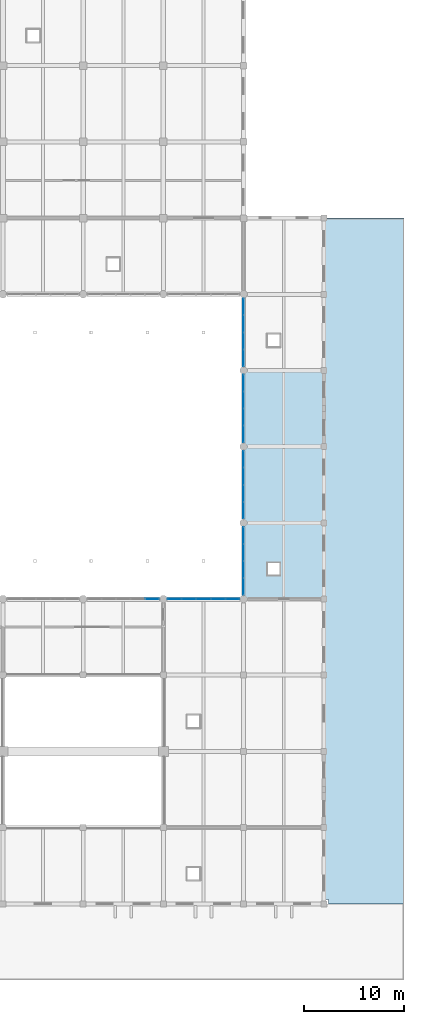
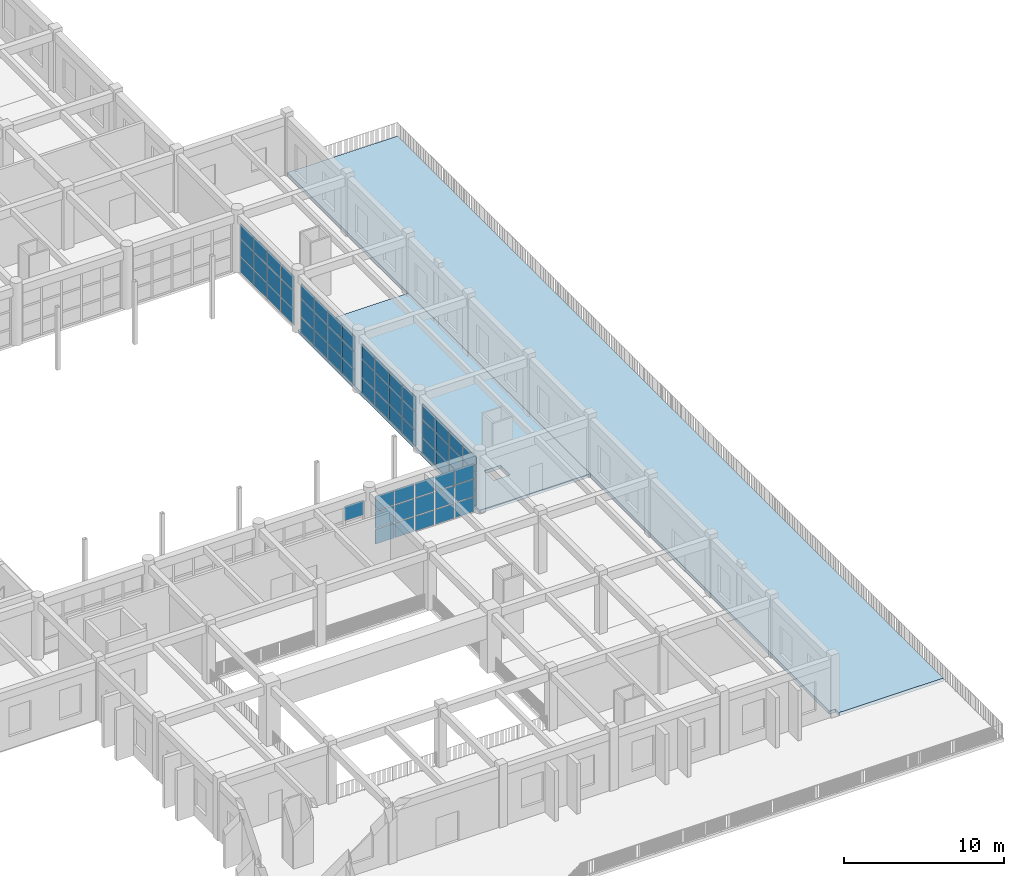
# One storey, part 69 of 101: 64 plates, 2 slabs, 6 elements without a shape of their own.
"""IFC4 building model written with IfcOpenShell, lengths in metres."""

import ifcopenshell
import ifcopenshell.guid

model = None  # the IFC model being written
_history = None  # IfcOwnerHistory: only IFC2X3 demands one
_inside = {}  # id of a spatial element -> (the spatial element, [elements in it])
_under = {}  # id of a project, library or spatial element -> (it, [spatial elements below it])
_declared = {}  # id of a project -> (the project, [libraries it declares])
_typed = {}  # id of a type object -> (the type object, [elements of that type])
_made_of = {}  # id of a material, layer set ... -> (it, [elements and type objects made of it])


def new_model(schema):
    """Start an empty IFC model of exactly this schema.

    Asked for "IFC4X3", IfcOpenShell would pick the latest addendum, in which some entities
    have other attributes; the version numbers below select the first issue.
    IFC2X3 requires an IfcOwnerHistory on every rooted entity: one is made here for all.
    """
    global model, _history
    if schema == "IFC4X3":
        model = ifcopenshell.file(schema_version=(4, 3, 0, 0))
    else:
        model = ifcopenshell.file(schema=schema)
    _inside.clear()
    _under.clear()
    _declared.clear()
    _typed.clear()
    _made_of.clear()
    _history = None
    if model.schema == "IFC2X3":
        org = make("IfcOrganization", Name="unknown")
        user = make(
            "IfcPersonAndOrganization",
            ThePerson=make("IfcPerson", FamilyName="unknown"),
            TheOrganization=org,
        )
        app = make(
            "IfcApplication",
            ApplicationDeveloper=org,
            Version="unknown",
            ApplicationFullName="unknown",
            ApplicationIdentifier="unknown",
        )
        _history = make(
            "IfcOwnerHistory",
            OwningUser=user,
            OwningApplication=app,
            ChangeAction="ADDED",
            CreationDate=0,
        )
    return model


def make(cls, **values):
    """One entity of the class cls with the attributes given. An attribute that is None is left unset."""
    return model.create_entity(
        cls, **{name: value for name, value in values.items() if value is not None}
    )


def rooted(cls, **values):
    """An entity with a GlobalId (a new one), such as an element, a storey or a relation."""
    return make(cls, GlobalId=ifcopenshell.guid.new(), OwnerHistory=_history, **values)


def si_unit(unit_type, name, prefix=None):
    """IfcSIUnit, for example si_unit("LENGTHUNIT", "METRE", prefix="MILLI")."""
    return make("IfcSIUnit", UnitType=unit_type, Prefix=prefix, Name=name)


def assignment(units):
    """IfcUnitAssignment: the units of a project."""
    return None if units is None else make("IfcUnitAssignment", Units=units)


def point(xyz):
    """IfcCartesianPoint."""
    return None if xyz is None else make("IfcCartesianPoint", Coordinates=xyz)


def direction(xyz):
    """IfcDirection."""
    return None if xyz is None else make("IfcDirection", DirectionRatios=xyz)


def frame(location, z_axis=None, x_axis=None):
    """IfcAxis2Placement3D, a coordinate frame: its origin and axes. An axis left out is left unset."""
    return make(
        "IfcAxis2Placement3D",
        Location=point(location),
        Axis=direction(z_axis),
        RefDirection=direction(x_axis),
    )


def frame_2d(location, x_axis=None):
    """IfcAxis2Placement2D, a coordinate frame in the plane: its origin and x axis."""
    return make(
        "IfcAxis2Placement2D", Location=point(location), RefDirection=direction(x_axis)
    )


def origin():
    """The frame at (0, 0, 0) with its axes left unset."""
    return frame((0.0, 0.0, 0.0))


def origin_2d():
    """The frame at (0, 0) in the plane with its x axis left unset."""
    return frame_2d((0.0, 0.0))


def place(relative_to, where):
    """IfcLocalPlacement: puts the frame where relative to a parent placement (None: the world)."""
    return make(
        "IfcLocalPlacement", PlacementRelTo=relative_to, RelativePlacement=where
    )


def context(
    kind, dimensions, precision=None, world=None, true_north=None, identifier=None
):
    """IfcGeometricRepresentationContext, for example the 3D "Model" context."""
    return make(
        "IfcGeometricRepresentationContext",
        ContextIdentifier=identifier,
        ContextType=kind,
        CoordinateSpaceDimension=dimensions,
        Precision=precision,
        WorldCoordinateSystem=world,
        TrueNorth=true_north,
    )


def subcontext(parent, identifier, kind, view, scale=None):
    """IfcGeometricRepresentationSubContext, for example "Body" below "Model"."""
    return make(
        "IfcGeometricRepresentationSubContext",
        ContextIdentifier=identifier,
        ContextType=kind,
        ParentContext=parent,
        TargetScale=scale,
        TargetView=view,
    )


def project(units=None, contexts=None):
    """IfcProject with its units and contexts."""
    return rooted(
        "IfcProject",
        Name="project",
        RepresentationContexts=contexts,
        UnitsInContext=assignment(units),
    )


def spatial(cls, under=None, at=None, **own):
    """A site, building, storey or space (cls), placed at a placement, below another one or the project."""
    s = rooted(cls, ObjectPlacement=at, **own)
    if under is not None:
        _under.setdefault(under.id(), (under, []))[1].append(s)
    return s


def polyline(points):
    """IfcPolyline through the points."""
    return make("IfcPolyline", Points=[point(p) for p in points])


def profile(cls, at=None, kind="AREA", **sizes):
    """A parametric profile (cls). Its sizes go by their IFC names, for example OverallWidth=200.0."""
    return make(cls, ProfileType=kind, Position=at, **sizes)


def rectangle(**sizes):
    """IfcRectangleProfileDef."""
    return profile("IfcRectangleProfileDef", **sizes)


def outline(outer, holes=None, kind="AREA"):
    """IfcArbitraryClosedProfileDef: a profile drawn as a closed curve; with holes, ...WithVoids."""
    if holes is None:
        return make("IfcArbitraryClosedProfileDef", ProfileType=kind, OuterCurve=outer)
    return make(
        "IfcArbitraryProfileDefWithVoids",
        ProfileType=kind,
        OuterCurve=outer,
        InnerCurves=holes,
    )


def extrude(swept, where, along, depth):
    """IfcExtrudedAreaSolid: the profile swept, set in the frame where, extruded along a direction by depth."""
    return make(
        "IfcExtrudedAreaSolid",
        SweptArea=swept,
        Position=where,
        ExtrudedDirection=direction(along),
        Depth=depth,
    )


def shape(context_of_items, identifier, shape_type, items):
    """IfcShapeRepresentation: the items that make up one representation, for example the "Body"."""
    return make(
        "IfcShapeRepresentation",
        ContextOfItems=context_of_items,
        RepresentationIdentifier=identifier,
        RepresentationType=shape_type,
        Items=items,
    )


def material(Name=None, Category=None):
    """IfcMaterial."""
    return make("IfcMaterial", Name=Name, Category=Category)


def layer(
    of_material, thickness, ventilated=None, Name=None, Category=None, Priority=None
):
    """IfcMaterialLayer: one layer of a wall or slab, of a material (None: an air gap)."""
    return make(
        "IfcMaterialLayer",
        Material=of_material,
        LayerThickness=thickness,
        IsVentilated=ventilated,
        Name=Name,
        Category=Category,
        Priority=Priority,
    )


def layer_set(layers, Name=None):
    """IfcMaterialLayerSet."""
    return make("IfcMaterialLayerSet", MaterialLayers=layers, LayerSetName=Name)


def made_of(thing, what):
    """Note that an element or type object is made of a material, layer set ...; save() writes the relation."""
    if what is not None:
        _made_of.setdefault(what.id(), (what, []))[1].append(thing)
    return thing


def type_object(cls, material=None, **own):
    """A type object (cls), such as IfcWallType, which elements share."""
    return made_of(rooted(cls, **own), material)


def element(
    cls,
    number,
    at=None,
    inside=None,
    cuts=None,
    type_object=None,
    material=None,
    context=None,
    identifier="Body",
    shape_type=None,
    held_by="IfcProductDefinitionShape",
    body=None,
    shapes=None,
    **own,
):
    """One element of the class cls, such as IfcWall. Its Tag is "e" and its number.

    at: its placement. inside: the storey or other place that contains it. cuts: it is an
    opening in that element (IfcRelVoidsElement). A single representation is given by context,
    identifier, shape_type and body (its items); several are given by shapes. held_by: the class
    of the entity that holds the representations. save() writes the other relations.
    """
    e = rooted(cls, Tag="e%d" % number, ObjectPlacement=at, **own)
    if body is not None:
        shapes = [shape(context, identifier, shape_type, body)]
    if shapes is not None:
        e.Representation = make(held_by, Representations=shapes)
    if inside is not None:
        _inside.setdefault(inside.id(), (inside, []))[1].append(e)
    if cuts is not None:
        rooted(
            "IfcRelVoidsElement", RelatingBuildingElement=cuts, RelatedOpeningElement=e
        )
    if type_object is not None:
        _typed.setdefault(type_object.id(), (type_object, []))[1].append(e)
    return made_of(e, material)


def aggregate(whole, parts):
    """IfcRelAggregates: a whole, such as a stair, and the parts it consists of."""
    return rooted("IfcRelAggregates", RelatingObject=whole, RelatedObjects=parts)


def save(model, path):
    """Write the relations noted so far, then the file.

    IfcRelAggregates (storeys below a building ...), IfcRelContainedInSpatialStructure (elements
    in a storey), IfcRelDefinesByType, IfcRelAssociatesMaterial and IfcRelDeclares: one each for
    every whole, place, type object, material and project.
    """
    for whole, parts in _under.values():
        aggregate(whole, parts)
    for where, things in _inside.values():
        rooted(
            "IfcRelContainedInSpatialStructure",
            RelatedElements=things,
            RelatingStructure=where,
        )
    for kind, things in _typed.values():
        rooted("IfcRelDefinesByType", RelatedObjects=things, RelatingType=kind)
    for what, things in _made_of.values():
        rooted("IfcRelAssociatesMaterial", RelatedObjects=things, RelatingMaterial=what)
    for by, libraries in _declared.values():
        rooted("IfcRelDeclares", RelatingContext=by, RelatedDefinitions=libraries)
    model.write(path)


model = new_model("IFC4")

# Units and contexts
model_context = context("Model", 3, precision=1e-05, world=origin(), true_north=direction((0.0, 1.0)))
body_context = subcontext(model_context, "Body", "Model", "MODEL_VIEW")
ifc_project = project(units=[si_unit("LENGTHUNIT", "METRE"), si_unit("AREAUNIT", "SQUARE_METRE"), si_unit("VOLUMEUNIT", "CUBIC_METRE"), si_unit("PLANEANGLEUNIT", "RADIAN"), si_unit("MASSUNIT", "GRAM", prefix="KILO")], contexts=[model_context])

# Site, building, storey
site_placement = place(None, origin())
site = spatial("IfcSite", under=ifc_project, at=site_placement, CompositionType="ELEMENT")
building_placement = place(site_placement, origin())
building = spatial("IfcBuilding", under=site, at=building_placement, Name="Zantavel Square City Hall", CompositionType="ELEMENT")
storey_placement = place(building_placement, frame((0.0, 0.0, 5.39990234375)))
storey = spatial("IfcBuildingStorey", under=building, at=storey_placement, Name="L02", CompositionType="ELEMENT", Elevation=5.39990234375)

# Curtain wall, plate
ifc_material_1 = material(Name="Anodised aluminium 6063-T6", Category="aluminium")
curtain_wall_type_1 = type_object("IfcCurtainWallType", Name="Curtain Wall CRT 7250x3800", PredefinedType="USERDEFINED", material=ifc_material_1)
curtain_wall_1_placement = place(storey_placement, origin())
curtain_wall_1 = element("IfcCurtainWall", 1, at=curtain_wall_1_placement, inside=storey, type_object=curtain_wall_type_1, Name="L02 Glazed Curtain Wall CW-L02-053", ObjectType="GLAZED CURTAIN WALL", PredefinedType="USERDEFINED")
ifc_material_2 = material(Name="Tempered safety glass low-E double glazing", Category="glass")
ifc_layer_1 = layer(ifc_material_2, 0.028076171875, Name="Tempered safety glass low-E double glazing")
ifc_layer_set_1 = layer_set([ifc_layer_1], Name="Tempered safety glass low-E double glazing")
plate_type_1 = type_object("IfcPlateType", Name="Low-E Curtain Glazing Panel 1450x1267x28", PredefinedType="CURTAIN_PANEL", material=ifc_layer_set_1)
plate_1_placement = place(storey_placement, frame((142.885009765625, 38.0, 2.614013671875), z_axis=(0.0, 0.0, 1.0), x_axis=(1.0, 0.0, 0.0)))
plate_1 = element("IfcPlate", 2, at=plate_1_placement, type_object=plate_type_1, Name="CW-053 panel 5.3", PredefinedType="CURTAIN_PANEL", context=body_context, shape_type="SweptSolid", body=[
    extrude(rectangle(XDim=1.360107421875, YDim=0.028076171875, at=origin_2d()), origin(), (0.0, 0.0, 1.0), 1.1259765625),
])
aggregate(curtain_wall_1, [plate_1])

# Curtain wall, plates
curtain_wall_2_placement = place(storey_placement, origin())
curtain_wall_2 = element("IfcCurtainWall", 3, at=curtain_wall_2_placement, inside=storey, type_object=curtain_wall_type_1, Name="L02 Glazed Curtain Wall CW-L02-054", ObjectType="GLAZED CURTAIN WALL", PredefinedType="USERDEFINED")
plate_2_placement = place(storey_placement, frame((145.114990234375, 38.0, 0.06005859375), z_axis=(0.0, 0.0, 1.0), x_axis=(1.0, 0.0, 0.0)))
plate_2 = element("IfcPlate", 4, at=plate_2_placement, type_object=plate_type_1, Name="CW-054 panel 1.1", PredefinedType="CURTAIN_PANEL", context=body_context, shape_type="SweptSolid", body=[
    extrude(rectangle(XDim=1.360107421875, YDim=0.028076171875, at=origin_2d()), origin(), (0.0, 0.0, 1.0), 1.1259765625),
])
plate_3_placement = place(storey_placement, frame((145.114990234375, 38.0, 1.24609375), z_axis=(0.0, 0.0, 1.0), x_axis=(1.0, 0.0, 0.0)))
plate_3 = element("IfcPlate", 5, at=plate_3_placement, type_object=plate_type_1, Name="CW-054 panel 1.2", PredefinedType="CURTAIN_PANEL", context=body_context, shape_type="SweptSolid", body=[
    extrude(rectangle(XDim=1.360107421875, YDim=0.028076171875, at=origin_2d()), origin(), (0.0, 0.0, 1.0), 1.30810546875),
])
plate_4_placement = place(storey_placement, frame((145.114990234375, 38.0, 2.614013671875), z_axis=(0.0, 0.0, 1.0), x_axis=(1.0, 0.0, 0.0)))
plate_4 = element("IfcPlate", 6, at=plate_4_placement, type_object=plate_type_1, Name="CW-054 panel 1.3", PredefinedType="CURTAIN_PANEL", context=body_context, shape_type="SweptSolid", body=[
    extrude(rectangle(XDim=1.360107421875, YDim=0.028076171875, at=origin_2d()), origin(), (0.0, 0.0, 1.0), 1.1259765625),
])
plate_5_placement = place(storey_placement, frame((146.550048828125, 38.0, 0.06005859375), z_axis=(0.0, 0.0, 1.0), x_axis=(1.0, 0.0, 0.0)))
plate_5 = element("IfcPlate", 7, at=plate_5_placement, type_object=plate_type_1, Name="CW-054 panel 2.1", PredefinedType="CURTAIN_PANEL", context=body_context, shape_type="SweptSolid", body=[
    extrude(rectangle(XDim=1.389892578125, YDim=0.028076171875, at=origin_2d()), origin(), (0.0, 0.0, 1.0), 1.1259765625),
])
plate_6_placement = place(storey_placement, frame((146.550048828125, 38.0, 1.24609375), z_axis=(0.0, 0.0, 1.0), x_axis=(1.0, 0.0, 0.0)))
plate_6 = element("IfcPlate", 8, at=plate_6_placement, type_object=plate_type_1, Name="CW-054 panel 2.2", PredefinedType="CURTAIN_PANEL", context=body_context, shape_type="SweptSolid", body=[
    extrude(rectangle(XDim=1.389892578125, YDim=0.028076171875, at=origin_2d()), origin(), (0.0, 0.0, 1.0), 1.30810546875),
])
plate_7_placement = place(storey_placement, frame((146.550048828125, 38.0, 2.614013671875), z_axis=(0.0, 0.0, 1.0), x_axis=(1.0, 0.0, 0.0)))
plate_7 = element("IfcPlate", 9, at=plate_7_placement, type_object=plate_type_1, Name="CW-054 panel 2.3", PredefinedType="CURTAIN_PANEL", context=body_context, shape_type="SweptSolid", body=[
    extrude(rectangle(XDim=1.389892578125, YDim=0.028076171875, at=origin_2d()), origin(), (0.0, 0.0, 1.0), 1.1259765625),
])
plate_8_placement = place(storey_placement, frame((148.0, 38.0, 0.06005859375), z_axis=(0.0, 0.0, 1.0), x_axis=(1.0, 0.0, 0.0)))
plate_8 = element("IfcPlate", 10, at=plate_8_placement, type_object=plate_type_1, Name="CW-054 panel 3.1", PredefinedType="CURTAIN_PANEL", context=body_context, shape_type="SweptSolid", body=[
    extrude(rectangle(XDim=1.389892578125, YDim=0.028076171875, at=origin_2d()), origin(), (0.0, 0.0, 1.0), 1.1259765625),
])
plate_9_placement = place(storey_placement, frame((148.0, 38.0, 1.24609375), z_axis=(0.0, 0.0, 1.0), x_axis=(1.0, 0.0, 0.0)))
plate_9 = element("IfcPlate", 11, at=plate_9_placement, type_object=plate_type_1, Name="CW-054 panel 3.2", PredefinedType="CURTAIN_PANEL", context=body_context, shape_type="SweptSolid", body=[
    extrude(rectangle(XDim=1.389892578125, YDim=0.028076171875, at=origin_2d()), origin(), (0.0, 0.0, 1.0), 1.30810546875),
])
plate_10_placement = place(storey_placement, frame((148.0, 38.0, 2.614013671875), z_axis=(0.0, 0.0, 1.0), x_axis=(1.0, 0.0, 0.0)))
plate_10 = element("IfcPlate", 12, at=plate_10_placement, type_object=plate_type_1, Name="CW-054 panel 3.3", PredefinedType="CURTAIN_PANEL", context=body_context, shape_type="SweptSolid", body=[
    extrude(rectangle(XDim=1.389892578125, YDim=0.028076171875, at=origin_2d()), origin(), (0.0, 0.0, 1.0), 1.1259765625),
])
plate_11_placement = place(storey_placement, frame((149.449951171875, 38.0, 0.06005859375), z_axis=(0.0, 0.0, 1.0), x_axis=(1.0, 0.0, 0.0)))
plate_11 = element("IfcPlate", 13, at=plate_11_placement, type_object=plate_type_1, Name="CW-054 panel 4.1", PredefinedType="CURTAIN_PANEL", context=body_context, shape_type="SweptSolid", body=[
    extrude(rectangle(XDim=1.389892578125, YDim=0.028076171875, at=origin_2d()), origin(), (0.0, 0.0, 1.0), 1.1259765625),
])
plate_12_placement = place(storey_placement, frame((149.449951171875, 38.0, 1.24609375), z_axis=(0.0, 0.0, 1.0), x_axis=(1.0, 0.0, 0.0)))
plate_12 = element("IfcPlate", 14, at=plate_12_placement, type_object=plate_type_1, Name="CW-054 panel 4.2", PredefinedType="CURTAIN_PANEL", context=body_context, shape_type="SweptSolid", body=[
    extrude(rectangle(XDim=1.389892578125, YDim=0.028076171875, at=origin_2d()), origin(), (0.0, 0.0, 1.0), 1.30810546875),
])
plate_13_placement = place(storey_placement, frame((149.449951171875, 38.0, 2.614013671875), z_axis=(0.0, 0.0, 1.0), x_axis=(1.0, 0.0, 0.0)))
plate_13 = element("IfcPlate", 15, at=plate_13_placement, type_object=plate_type_1, Name="CW-054 panel 4.3", PredefinedType="CURTAIN_PANEL", context=body_context, shape_type="SweptSolid", body=[
    extrude(rectangle(XDim=1.389892578125, YDim=0.028076171875, at=origin_2d()), origin(), (0.0, 0.0, 1.0), 1.1259765625),
])
plate_14_placement = place(storey_placement, frame((150.885009765625, 38.0, 0.06005859375), z_axis=(0.0, 0.0, 1.0), x_axis=(1.0, 0.0, 0.0)))
plate_14 = element("IfcPlate", 16, at=plate_14_placement, type_object=plate_type_1, Name="CW-054 panel 5.1", PredefinedType="CURTAIN_PANEL", context=body_context, shape_type="SweptSolid", body=[
    extrude(rectangle(XDim=1.360107421875, YDim=0.028076171875, at=origin_2d()), origin(), (0.0, 0.0, 1.0), 1.1259765625),
])
plate_15_placement = place(storey_placement, frame((150.885009765625, 38.0, 1.24609375), z_axis=(0.0, 0.0, 1.0), x_axis=(1.0, 0.0, 0.0)))
plate_15 = element("IfcPlate", 17, at=plate_15_placement, type_object=plate_type_1, Name="CW-054 panel 5.2", PredefinedType="CURTAIN_PANEL", context=body_context, shape_type="SweptSolid", body=[
    extrude(rectangle(XDim=1.360107421875, YDim=0.028076171875, at=origin_2d()), origin(), (0.0, 0.0, 1.0), 1.30810546875),
])
plate_16_placement = place(storey_placement, frame((150.885009765625, 38.0, 2.614013671875), z_axis=(0.0, 0.0, 1.0), x_axis=(1.0, 0.0, 0.0)))
plate_16 = element("IfcPlate", 18, at=plate_16_placement, type_object=plate_type_1, Name="CW-054 panel 5.3", PredefinedType="CURTAIN_PANEL", context=body_context, shape_type="SweptSolid", body=[
    extrude(rectangle(XDim=1.360107421875, YDim=0.028076171875, at=origin_2d()), origin(), (0.0, 0.0, 1.0), 1.1259765625),
])
aggregate(curtain_wall_2, [plate_2, plate_3, plate_4, plate_5, plate_6, plate_7, plate_8, plate_9, plate_10, plate_11, plate_12, plate_13, plate_14, plate_15, plate_16])

curtain_wall_type_2 = type_object("IfcCurtainWallType", Name="Curtain Wall CRT 6850x3870", PredefinedType="USERDEFINED", material=ifc_material_1)
curtain_wall_3_placement = place(storey_placement, origin())
curtain_wall_3 = element("IfcCurtainWall", 19, at=curtain_wall_3_placement, inside=storey, type_object=curtain_wall_type_2, Name="L02 Glazed Curtain Wall CW-L02-057", ObjectType="GLAZED CURTAIN WALL", PredefinedType="USERDEFINED")
ifc_layer_2 = layer(ifc_material_2, 0.028076171875, Name="Tempered safety glass low-E double glazing")
ifc_layer_set_2 = layer_set([ifc_layer_2], Name="Tempered safety glass low-E double glazing")
plate_type_2 = type_object("IfcPlateType", Name="Low-E Curtain Glazing Panel 1712x1290x28", PredefinedType="CURTAIN_PANEL", material=ifc_layer_set_2)
plate_17_placement = place(storey_placement, frame((152.0, 54.4462890625, 0.06005859375), z_axis=(0.0, 0.0, 1.0), x_axis=(0.0, 1.0, 0.0)))
plate_17 = element("IfcPlate", 20, at=plate_17_placement, type_object=plate_type_2, Name="CW-057 panel 1.1", PredefinedType="CURTAIN_PANEL", context=body_context, shape_type="SweptSolid", body=[
    extrude(rectangle(XDim=1.62255859375, YDim=0.028076171875, at=origin_2d()), origin(), (0.0, 0.0, 1.0), 1.14794921875),
])
plate_18_placement = place(storey_placement, frame((152.0, 54.4462890625, 1.26806640625), z_axis=(0.0, 0.0, 1.0), x_axis=(0.0, 1.0, 0.0)))
plate_18 = element("IfcPlate", 21, at=plate_18_placement, type_object=plate_type_2, Name="CW-057 panel 1.2", PredefinedType="CURTAIN_PANEL", context=body_context, shape_type="SweptSolid", body=[
    extrude(rectangle(XDim=1.62255859375, YDim=0.028076171875, at=origin_2d()), origin(), (0.0, 0.0, 1.0), 1.333984375),
])
plate_19_placement = place(storey_placement, frame((152.0, 54.4462890625, 2.662109375), z_axis=(0.0, 0.0, 1.0), x_axis=(0.0, 1.0, 0.0)))
plate_19 = element("IfcPlate", 22, at=plate_19_placement, type_object=plate_type_2, Name="CW-057 panel 1.3", PredefinedType="CURTAIN_PANEL", context=body_context, shape_type="SweptSolid", body=[
    extrude(rectangle(XDim=1.62255859375, YDim=0.028076171875, at=origin_2d()), origin(), (0.0, 0.0, 1.0), 1.14794921875),
])
plate_20_placement = place(storey_placement, frame((152.0, 56.143798828125, 0.06005859375), z_axis=(0.0, 0.0, 1.0), x_axis=(0.0, 1.0, 0.0)))
plate_20 = element("IfcPlate", 23, at=plate_20_placement, type_object=plate_type_2, Name="CW-057 panel 2.1", PredefinedType="CURTAIN_PANEL", context=body_context, shape_type="SweptSolid", body=[
    extrude(rectangle(XDim=1.652587890625, YDim=0.028076171875, at=origin_2d()), origin(), (0.0, 0.0, 1.0), 1.14794921875),
])
plate_21_placement = place(storey_placement, frame((152.0, 56.143798828125, 1.26806640625), z_axis=(0.0, 0.0, 1.0), x_axis=(0.0, 1.0, 0.0)))
plate_21 = element("IfcPlate", 24, at=plate_21_placement, type_object=plate_type_2, Name="CW-057 panel 2.2", PredefinedType="CURTAIN_PANEL", context=body_context, shape_type="SweptSolid", body=[
    extrude(rectangle(XDim=1.652587890625, YDim=0.028076171875, at=origin_2d()), origin(), (0.0, 0.0, 1.0), 1.333984375),
])
plate_22_placement = place(storey_placement, frame((152.0, 56.143798828125, 2.662109375), z_axis=(0.0, 0.0, 1.0), x_axis=(0.0, 1.0, 0.0)))
plate_22 = element("IfcPlate", 25, at=plate_22_placement, type_object=plate_type_2, Name="CW-057 panel 2.3", PredefinedType="CURTAIN_PANEL", context=body_context, shape_type="SweptSolid", body=[
    extrude(rectangle(XDim=1.652587890625, YDim=0.028076171875, at=origin_2d()), origin(), (0.0, 0.0, 1.0), 1.14794921875),
])
plate_23_placement = place(storey_placement, frame((152.0, 57.856201171875, 0.06005859375), z_axis=(0.0, 0.0, 1.0), x_axis=(0.0, 1.0, 0.0)))
plate_23 = element("IfcPlate", 26, at=plate_23_placement, type_object=plate_type_2, Name="CW-057 panel 3.1", PredefinedType="CURTAIN_PANEL", context=body_context, shape_type="SweptSolid", body=[
    extrude(rectangle(XDim=1.652587890625, YDim=0.028076171875, at=origin_2d()), origin(), (0.0, 0.0, 1.0), 1.14794921875),
])
plate_24_placement = place(storey_placement, frame((152.0, 57.856201171875, 1.26806640625), z_axis=(0.0, 0.0, 1.0), x_axis=(0.0, 1.0, 0.0)))
plate_24 = element("IfcPlate", 27, at=plate_24_placement, type_object=plate_type_2, Name="CW-057 panel 3.2", PredefinedType="CURTAIN_PANEL", context=body_context, shape_type="SweptSolid", body=[
    extrude(rectangle(XDim=1.652587890625, YDim=0.028076171875, at=origin_2d()), origin(), (0.0, 0.0, 1.0), 1.333984375),
])
plate_25_placement = place(storey_placement, frame((152.0, 57.856201171875, 2.662109375), z_axis=(0.0, 0.0, 1.0), x_axis=(0.0, 1.0, 0.0)))
plate_25 = element("IfcPlate", 28, at=plate_25_placement, type_object=plate_type_2, Name="CW-057 panel 3.3", PredefinedType="CURTAIN_PANEL", context=body_context, shape_type="SweptSolid", body=[
    extrude(rectangle(XDim=1.652587890625, YDim=0.028076171875, at=origin_2d()), origin(), (0.0, 0.0, 1.0), 1.14794921875),
])
plate_26_placement = place(storey_placement, frame((152.0, 59.5537109375, 0.06005859375), z_axis=(0.0, 0.0, 1.0), x_axis=(0.0, 1.0, 0.0)))
plate_26 = element("IfcPlate", 29, at=plate_26_placement, type_object=plate_type_2, Name="CW-057 panel 4.1", PredefinedType="CURTAIN_PANEL", context=body_context, shape_type="SweptSolid", body=[
    extrude(rectangle(XDim=1.62255859375, YDim=0.028076171875, at=origin_2d()), origin(), (0.0, 0.0, 1.0), 1.14794921875),
])
plate_27_placement = place(storey_placement, frame((152.0, 59.5537109375, 1.26806640625), z_axis=(0.0, 0.0, 1.0), x_axis=(0.0, 1.0, 0.0)))
plate_27 = element("IfcPlate", 30, at=plate_27_placement, type_object=plate_type_2, Name="CW-057 panel 4.2", PredefinedType="CURTAIN_PANEL", context=body_context, shape_type="SweptSolid", body=[
    extrude(rectangle(XDim=1.62255859375, YDim=0.028076171875, at=origin_2d()), origin(), (0.0, 0.0, 1.0), 1.333984375),
])
plate_28_placement = place(storey_placement, frame((152.0, 59.5537109375, 2.662109375), z_axis=(0.0, 0.0, 1.0), x_axis=(0.0, 1.0, 0.0)))
plate_28 = element("IfcPlate", 31, at=plate_28_placement, type_object=plate_type_2, Name="CW-057 panel 4.3", PredefinedType="CURTAIN_PANEL", context=body_context, shape_type="SweptSolid", body=[
    extrude(rectangle(XDim=1.62255859375, YDim=0.028076171875, at=origin_2d()), origin(), (0.0, 0.0, 1.0), 1.14794921875),
])
aggregate(curtain_wall_3, [plate_17, plate_18, plate_19, plate_20, plate_21, plate_22, plate_23, plate_24, plate_25, plate_26, plate_27, plate_28])

curtain_wall_4_placement = place(storey_placement, origin())
curtain_wall_4 = element("IfcCurtainWall", 32, at=curtain_wall_4_placement, inside=storey, type_object=curtain_wall_type_2, Name="L02 Glazed Curtain Wall CW-L02-055", ObjectType="GLAZED CURTAIN WALL", PredefinedType="USERDEFINED")
ifc_layer_3 = layer(ifc_material_2, 0.028076171875, Name="Tempered safety glass low-E double glazing")
ifc_layer_set_3 = layer_set([ifc_layer_3], Name="Tempered safety glass low-E double glazing")
plate_type_3 = type_object("IfcPlateType", Name="Low-E Curtain Glazing Panel 1713x1290x28", PredefinedType="CURTAIN_PANEL", material=ifc_layer_set_3)
plate_29_placement = place(storey_placement, frame((152.0, 39.246337890625, 0.06005859375), z_axis=(0.0, 0.0, 1.0), x_axis=(0.0, 1.0, 0.0)))
plate_29 = element("IfcPlate", 33, at=plate_29_placement, type_object=plate_type_3, Name="CW-055 panel 1.1", PredefinedType="CURTAIN_PANEL", context=body_context, shape_type="SweptSolid", body=[
    extrude(rectangle(XDim=1.62255859375, YDim=0.028076171875, at=origin_2d()), origin(), (0.0, 0.0, 1.0), 1.14794921875),
])
plate_30_placement = place(storey_placement, frame((152.0, 39.246337890625, 1.26806640625), z_axis=(0.0, 0.0, 1.0), x_axis=(0.0, 1.0, 0.0)))
plate_30 = element("IfcPlate", 34, at=plate_30_placement, type_object=plate_type_3, Name="CW-055 panel 1.2", PredefinedType="CURTAIN_PANEL", context=body_context, shape_type="SweptSolid", body=[
    extrude(rectangle(XDim=1.62255859375, YDim=0.028076171875, at=origin_2d()), origin(), (0.0, 0.0, 1.0), 1.333984375),
])
plate_31_placement = place(storey_placement, frame((152.0, 39.246337890625, 2.662109375), z_axis=(0.0, 0.0, 1.0), x_axis=(0.0, 1.0, 0.0)))
plate_31 = element("IfcPlate", 35, at=plate_31_placement, type_object=plate_type_3, Name="CW-055 panel 1.3", PredefinedType="CURTAIN_PANEL", context=body_context, shape_type="SweptSolid", body=[
    extrude(rectangle(XDim=1.62255859375, YDim=0.028076171875, at=origin_2d()), origin(), (0.0, 0.0, 1.0), 1.14794921875),
])
plate_32_placement = place(storey_placement, frame((152.0, 40.94384765625, 0.06005859375), z_axis=(0.0, 0.0, 1.0), x_axis=(0.0, 1.0, 0.0)))
plate_32 = element("IfcPlate", 36, at=plate_32_placement, type_object=plate_type_3, Name="CW-055 panel 2.1", PredefinedType="CURTAIN_PANEL", context=body_context, shape_type="SweptSolid", body=[
    extrude(rectangle(XDim=1.652587890625, YDim=0.028076171875, at=origin_2d()), origin(), (0.0, 0.0, 1.0), 1.14794921875),
])
plate_33_placement = place(storey_placement, frame((152.0, 40.94384765625, 1.26806640625), z_axis=(0.0, 0.0, 1.0), x_axis=(0.0, 1.0, 0.0)))
plate_33 = element("IfcPlate", 37, at=plate_33_placement, type_object=plate_type_3, Name="CW-055 panel 2.2", PredefinedType="CURTAIN_PANEL", context=body_context, shape_type="SweptSolid", body=[
    extrude(rectangle(XDim=1.652587890625, YDim=0.028076171875, at=origin_2d()), origin(), (0.0, 0.0, 1.0), 1.333984375),
])
plate_34_placement = place(storey_placement, frame((152.0, 40.94384765625, 2.662109375), z_axis=(0.0, 0.0, 1.0), x_axis=(0.0, 1.0, 0.0)))
plate_34 = element("IfcPlate", 38, at=plate_34_placement, type_object=plate_type_3, Name="CW-055 panel 2.3", PredefinedType="CURTAIN_PANEL", context=body_context, shape_type="SweptSolid", body=[
    extrude(rectangle(XDim=1.652587890625, YDim=0.028076171875, at=origin_2d()), origin(), (0.0, 0.0, 1.0), 1.14794921875),
])
plate_35_placement = place(storey_placement, frame((152.0, 42.65625, 0.06005859375), z_axis=(0.0, 0.0, 1.0), x_axis=(0.0, 1.0, 0.0)))
plate_35 = element("IfcPlate", 39, at=plate_35_placement, type_object=plate_type_3, Name="CW-055 panel 3.1", PredefinedType="CURTAIN_PANEL", context=body_context, shape_type="SweptSolid", body=[
    extrude(rectangle(XDim=1.652587890625, YDim=0.028076171875, at=origin_2d()), origin(), (0.0, 0.0, 1.0), 1.14794921875),
])
plate_36_placement = place(storey_placement, frame((152.0, 42.65625, 1.26806640625), z_axis=(0.0, 0.0, 1.0), x_axis=(0.0, 1.0, 0.0)))
plate_36 = element("IfcPlate", 40, at=plate_36_placement, type_object=plate_type_3, Name="CW-055 panel 3.2", PredefinedType="CURTAIN_PANEL", context=body_context, shape_type="SweptSolid", body=[
    extrude(rectangle(XDim=1.652587890625, YDim=0.028076171875, at=origin_2d()), origin(), (0.0, 0.0, 1.0), 1.333984375),
])
plate_37_placement = place(storey_placement, frame((152.0, 42.65625, 2.662109375), z_axis=(0.0, 0.0, 1.0), x_axis=(0.0, 1.0, 0.0)))
plate_37 = element("IfcPlate", 41, at=plate_37_placement, type_object=plate_type_3, Name="CW-055 panel 3.3", PredefinedType="CURTAIN_PANEL", context=body_context, shape_type="SweptSolid", body=[
    extrude(rectangle(XDim=1.652587890625, YDim=0.028076171875, at=origin_2d()), origin(), (0.0, 0.0, 1.0), 1.14794921875),
])
plate_38_placement = place(storey_placement, frame((152.0, 44.353759765625, 0.06005859375), z_axis=(0.0, 0.0, 1.0), x_axis=(0.0, 1.0, 0.0)))
plate_38 = element("IfcPlate", 42, at=plate_38_placement, type_object=plate_type_3, Name="CW-055 panel 4.1", PredefinedType="CURTAIN_PANEL", context=body_context, shape_type="SweptSolid", body=[
    extrude(rectangle(XDim=1.62255859375, YDim=0.028076171875, at=origin_2d()), origin(), (0.0, 0.0, 1.0), 1.14794921875),
])
plate_39_placement = place(storey_placement, frame((152.0, 44.353759765625, 1.26806640625), z_axis=(0.0, 0.0, 1.0), x_axis=(0.0, 1.0, 0.0)))
plate_39 = element("IfcPlate", 43, at=plate_39_placement, type_object=plate_type_3, Name="CW-055 panel 4.2", PredefinedType="CURTAIN_PANEL", context=body_context, shape_type="SweptSolid", body=[
    extrude(rectangle(XDim=1.62255859375, YDim=0.028076171875, at=origin_2d()), origin(), (0.0, 0.0, 1.0), 1.333984375),
])
plate_40_placement = place(storey_placement, frame((152.0, 44.353759765625, 2.662109375), z_axis=(0.0, 0.0, 1.0), x_axis=(0.0, 1.0, 0.0)))
plate_40 = element("IfcPlate", 44, at=plate_40_placement, type_object=plate_type_3, Name="CW-055 panel 4.3", PredefinedType="CURTAIN_PANEL", context=body_context, shape_type="SweptSolid", body=[
    extrude(rectangle(XDim=1.62255859375, YDim=0.028076171875, at=origin_2d()), origin(), (0.0, 0.0, 1.0), 1.14794921875),
])
aggregate(curtain_wall_4, [plate_29, plate_30, plate_31, plate_32, plate_33, plate_34, plate_35, plate_36, plate_37, plate_38, plate_39, plate_40])

curtain_wall_5_placement = place(storey_placement, origin())
curtain_wall_5 = element("IfcCurtainWall", 45, at=curtain_wall_5_placement, inside=storey, type_object=curtain_wall_type_2, Name="L02 Glazed Curtain Wall CW-L02-056", ObjectType="GLAZED CURTAIN WALL", PredefinedType="USERDEFINED")
plate_41_placement = place(storey_placement, frame((152.0, 46.84619140625, 0.06005859375), z_axis=(0.0, 0.0, 1.0), x_axis=(0.0, 1.0, 0.0)))
plate_41 = element("IfcPlate", 46, at=plate_41_placement, type_object=plate_type_3, Name="CW-056 panel 1.1", PredefinedType="CURTAIN_PANEL", context=body_context, shape_type="SweptSolid", body=[
    extrude(rectangle(XDim=1.62255859375, YDim=0.028076171875, at=origin_2d()), origin(), (0.0, 0.0, 1.0), 1.14794921875),
])
plate_42_placement = place(storey_placement, frame((152.0, 46.84619140625, 1.26806640625), z_axis=(0.0, 0.0, 1.0), x_axis=(0.0, 1.0, 0.0)))
plate_42 = element("IfcPlate", 47, at=plate_42_placement, type_object=plate_type_3, Name="CW-056 panel 1.2", PredefinedType="CURTAIN_PANEL", context=body_context, shape_type="SweptSolid", body=[
    extrude(rectangle(XDim=1.62255859375, YDim=0.028076171875, at=origin_2d()), origin(), (0.0, 0.0, 1.0), 1.333984375),
])
plate_43_placement = place(storey_placement, frame((152.0, 46.84619140625, 2.662109375), z_axis=(0.0, 0.0, 1.0), x_axis=(0.0, 1.0, 0.0)))
plate_43 = element("IfcPlate", 48, at=plate_43_placement, type_object=plate_type_3, Name="CW-056 panel 1.3", PredefinedType="CURTAIN_PANEL", context=body_context, shape_type="SweptSolid", body=[
    extrude(rectangle(XDim=1.62255859375, YDim=0.028076171875, at=origin_2d()), origin(), (0.0, 0.0, 1.0), 1.14794921875),
])
plate_44_placement = place(storey_placement, frame((152.0, 48.543701171875, 0.06005859375), z_axis=(0.0, 0.0, 1.0), x_axis=(0.0, 1.0, 0.0)))
plate_44 = element("IfcPlate", 49, at=plate_44_placement, type_object=plate_type_3, Name="CW-056 panel 2.1", PredefinedType="CURTAIN_PANEL", context=body_context, shape_type="SweptSolid", body=[
    extrude(rectangle(XDim=1.652587890625, YDim=0.028076171875, at=origin_2d()), origin(), (0.0, 0.0, 1.0), 1.14794921875),
])
plate_45_placement = place(storey_placement, frame((152.0, 48.543701171875, 1.26806640625), z_axis=(0.0, 0.0, 1.0), x_axis=(0.0, 1.0, 0.0)))
plate_45 = element("IfcPlate", 50, at=plate_45_placement, type_object=plate_type_3, Name="CW-056 panel 2.2", PredefinedType="CURTAIN_PANEL", context=body_context, shape_type="SweptSolid", body=[
    extrude(rectangle(XDim=1.652587890625, YDim=0.028076171875, at=origin_2d()), origin(), (0.0, 0.0, 1.0), 1.333984375),
])
plate_46_placement = place(storey_placement, frame((152.0, 48.543701171875, 2.662109375), z_axis=(0.0, 0.0, 1.0), x_axis=(0.0, 1.0, 0.0)))
plate_46 = element("IfcPlate", 51, at=plate_46_placement, type_object=plate_type_3, Name="CW-056 panel 2.3", PredefinedType="CURTAIN_PANEL", context=body_context, shape_type="SweptSolid", body=[
    extrude(rectangle(XDim=1.652587890625, YDim=0.028076171875, at=origin_2d()), origin(), (0.0, 0.0, 1.0), 1.14794921875),
])
plate_47_placement = place(storey_placement, frame((152.0, 50.25634765625, 0.06005859375), z_axis=(0.0, 0.0, 1.0), x_axis=(0.0, 1.0, 0.0)))
plate_47 = element("IfcPlate", 52, at=plate_47_placement, type_object=plate_type_3, Name="CW-056 panel 3.1", PredefinedType="CURTAIN_PANEL", context=body_context, shape_type="SweptSolid", body=[
    extrude(rectangle(XDim=1.652587890625, YDim=0.028076171875, at=origin_2d()), origin(), (0.0, 0.0, 1.0), 1.14794921875),
])
plate_48_placement = place(storey_placement, frame((152.0, 50.25634765625, 1.26806640625), z_axis=(0.0, 0.0, 1.0), x_axis=(0.0, 1.0, 0.0)))
plate_48 = element("IfcPlate", 53, at=plate_48_placement, type_object=plate_type_3, Name="CW-056 panel 3.2", PredefinedType="CURTAIN_PANEL", context=body_context, shape_type="SweptSolid", body=[
    extrude(rectangle(XDim=1.652587890625, YDim=0.028076171875, at=origin_2d()), origin(), (0.0, 0.0, 1.0), 1.333984375),
])
plate_49_placement = place(storey_placement, frame((152.0, 50.25634765625, 2.662109375), z_axis=(0.0, 0.0, 1.0), x_axis=(0.0, 1.0, 0.0)))
plate_49 = element("IfcPlate", 54, at=plate_49_placement, type_object=plate_type_3, Name="CW-056 panel 3.3", PredefinedType="CURTAIN_PANEL", context=body_context, shape_type="SweptSolid", body=[
    extrude(rectangle(XDim=1.652587890625, YDim=0.028076171875, at=origin_2d()), origin(), (0.0, 0.0, 1.0), 1.14794921875),
])
plate_50_placement = place(storey_placement, frame((152.0, 51.953857421875, 0.06005859375), z_axis=(0.0, 0.0, 1.0), x_axis=(0.0, 1.0, 0.0)))
plate_50 = element("IfcPlate", 55, at=plate_50_placement, type_object=plate_type_3, Name="CW-056 panel 4.1", PredefinedType="CURTAIN_PANEL", context=body_context, shape_type="SweptSolid", body=[
    extrude(rectangle(XDim=1.62255859375, YDim=0.028076171875, at=origin_2d()), origin(), (0.0, 0.0, 1.0), 1.14794921875),
])
plate_51_placement = place(storey_placement, frame((152.0, 51.953857421875, 1.26806640625), z_axis=(0.0, 0.0, 1.0), x_axis=(0.0, 1.0, 0.0)))
plate_51 = element("IfcPlate", 56, at=plate_51_placement, type_object=plate_type_3, Name="CW-056 panel 4.2", PredefinedType="CURTAIN_PANEL", context=body_context, shape_type="SweptSolid", body=[
    extrude(rectangle(XDim=1.62255859375, YDim=0.028076171875, at=origin_2d()), origin(), (0.0, 0.0, 1.0), 1.333984375),
])
plate_52_placement = place(storey_placement, frame((152.0, 51.953857421875, 2.662109375), z_axis=(0.0, 0.0, 1.0), x_axis=(0.0, 1.0, 0.0)))
plate_52 = element("IfcPlate", 57, at=plate_52_placement, type_object=plate_type_3, Name="CW-056 panel 4.3", PredefinedType="CURTAIN_PANEL", context=body_context, shape_type="SweptSolid", body=[
    extrude(rectangle(XDim=1.62255859375, YDim=0.028076171875, at=origin_2d()), origin(), (0.0, 0.0, 1.0), 1.14794921875),
])
aggregate(curtain_wall_5, [plate_41, plate_42, plate_43, plate_44, plate_45, plate_46, plate_47, plate_48, plate_49, plate_50, plate_51, plate_52])

curtain_wall_6_placement = place(storey_placement, origin())
curtain_wall_6 = element("IfcCurtainWall", 58, at=curtain_wall_6_placement, inside=storey, type_object=curtain_wall_type_2, Name="L02 Glazed Curtain Wall CW-L02-058", ObjectType="GLAZED CURTAIN WALL", PredefinedType="USERDEFINED")
plate_53_placement = place(storey_placement, frame((152.0, 62.046142578125, 0.06005859375), z_axis=(0.0, 0.0, 1.0), x_axis=(0.0, 1.0, 0.0)))
plate_53 = element("IfcPlate", 59, at=plate_53_placement, type_object=plate_type_3, Name="CW-058 panel 1.1", PredefinedType="CURTAIN_PANEL", context=body_context, shape_type="SweptSolid", body=[
    extrude(rectangle(XDim=1.62255859375, YDim=0.028076171875, at=origin_2d()), origin(), (0.0, 0.0, 1.0), 1.14794921875),
])
plate_54_placement = place(storey_placement, frame((152.0, 62.046142578125, 1.26806640625), z_axis=(0.0, 0.0, 1.0), x_axis=(0.0, 1.0, 0.0)))
plate_54 = element("IfcPlate", 60, at=plate_54_placement, type_object=plate_type_3, Name="CW-058 panel 1.2", PredefinedType="CURTAIN_PANEL", context=body_context, shape_type="SweptSolid", body=[
    extrude(rectangle(XDim=1.62255859375, YDim=0.028076171875, at=origin_2d()), origin(), (0.0, 0.0, 1.0), 1.333984375),
])
plate_55_placement = place(storey_placement, frame((152.0, 62.046142578125, 2.662109375), z_axis=(0.0, 0.0, 1.0), x_axis=(0.0, 1.0, 0.0)))
plate_55 = element("IfcPlate", 61, at=plate_55_placement, type_object=plate_type_3, Name="CW-058 panel 1.3", PredefinedType="CURTAIN_PANEL", context=body_context, shape_type="SweptSolid", body=[
    extrude(rectangle(XDim=1.62255859375, YDim=0.028076171875, at=origin_2d()), origin(), (0.0, 0.0, 1.0), 1.14794921875),
])
plate_56_placement = place(storey_placement, frame((152.0, 63.74365234375, 0.06005859375), z_axis=(0.0, 0.0, 1.0), x_axis=(0.0, 1.0, 0.0)))
plate_56 = element("IfcPlate", 62, at=plate_56_placement, type_object=plate_type_3, Name="CW-058 panel 2.1", PredefinedType="CURTAIN_PANEL", context=body_context, shape_type="SweptSolid", body=[
    extrude(rectangle(XDim=1.652587890625, YDim=0.028076171875, at=origin_2d()), origin(), (0.0, 0.0, 1.0), 1.14794921875),
])
plate_57_placement = place(storey_placement, frame((152.0, 63.74365234375, 1.26806640625), z_axis=(0.0, 0.0, 1.0), x_axis=(0.0, 1.0, 0.0)))
plate_57 = element("IfcPlate", 63, at=plate_57_placement, type_object=plate_type_3, Name="CW-058 panel 2.2", PredefinedType="CURTAIN_PANEL", context=body_context, shape_type="SweptSolid", body=[
    extrude(rectangle(XDim=1.652587890625, YDim=0.028076171875, at=origin_2d()), origin(), (0.0, 0.0, 1.0), 1.333984375),
])
plate_58_placement = place(storey_placement, frame((152.0, 63.74365234375, 2.662109375), z_axis=(0.0, 0.0, 1.0), x_axis=(0.0, 1.0, 0.0)))
plate_58 = element("IfcPlate", 64, at=plate_58_placement, type_object=plate_type_3, Name="CW-058 panel 2.3", PredefinedType="CURTAIN_PANEL", context=body_context, shape_type="SweptSolid", body=[
    extrude(rectangle(XDim=1.652587890625, YDim=0.028076171875, at=origin_2d()), origin(), (0.0, 0.0, 1.0), 1.14794921875),
])
plate_59_placement = place(storey_placement, frame((152.0, 65.456298828125, 0.06005859375), z_axis=(0.0, 0.0, 1.0), x_axis=(0.0, 1.0, 0.0)))
plate_59 = element("IfcPlate", 65, at=plate_59_placement, type_object=plate_type_3, Name="CW-058 panel 3.1", PredefinedType="CURTAIN_PANEL", context=body_context, shape_type="SweptSolid", body=[
    extrude(rectangle(XDim=1.652587890625, YDim=0.028076171875, at=origin_2d()), origin(), (0.0, 0.0, 1.0), 1.14794921875),
])
plate_60_placement = place(storey_placement, frame((152.0, 65.456298828125, 1.26806640625), z_axis=(0.0, 0.0, 1.0), x_axis=(0.0, 1.0, 0.0)))
plate_60 = element("IfcPlate", 66, at=plate_60_placement, type_object=plate_type_3, Name="CW-058 panel 3.2", PredefinedType="CURTAIN_PANEL", context=body_context, shape_type="SweptSolid", body=[
    extrude(rectangle(XDim=1.652587890625, YDim=0.028076171875, at=origin_2d()), origin(), (0.0, 0.0, 1.0), 1.333984375),
])
plate_61_placement = place(storey_placement, frame((152.0, 65.456298828125, 2.662109375), z_axis=(0.0, 0.0, 1.0), x_axis=(0.0, 1.0, 0.0)))
plate_61 = element("IfcPlate", 67, at=plate_61_placement, type_object=plate_type_3, Name="CW-058 panel 3.3", PredefinedType="CURTAIN_PANEL", context=body_context, shape_type="SweptSolid", body=[
    extrude(rectangle(XDim=1.652587890625, YDim=0.028076171875, at=origin_2d()), origin(), (0.0, 0.0, 1.0), 1.14794921875),
])
plate_62_placement = place(storey_placement, frame((152.0, 67.15380859375, 0.06005859375), z_axis=(0.0, 0.0, 1.0), x_axis=(0.0, 1.0, 0.0)))
plate_62 = element("IfcPlate", 68, at=plate_62_placement, type_object=plate_type_3, Name="CW-058 panel 4.1", PredefinedType="CURTAIN_PANEL", context=body_context, shape_type="SweptSolid", body=[
    extrude(rectangle(XDim=1.62255859375, YDim=0.028076171875, at=origin_2d()), origin(), (0.0, 0.0, 1.0), 1.14794921875),
])
plate_63_placement = place(storey_placement, frame((152.0, 67.15380859375, 1.26806640625), z_axis=(0.0, 0.0, 1.0), x_axis=(0.0, 1.0, 0.0)))
plate_63 = element("IfcPlate", 69, at=plate_63_placement, type_object=plate_type_3, Name="CW-058 panel 4.2", PredefinedType="CURTAIN_PANEL", context=body_context, shape_type="SweptSolid", body=[
    extrude(rectangle(XDim=1.62255859375, YDim=0.028076171875, at=origin_2d()), origin(), (0.0, 0.0, 1.0), 1.333984375),
])
plate_64_placement = place(storey_placement, frame((152.0, 67.15380859375, 2.662109375), z_axis=(0.0, 0.0, 1.0), x_axis=(0.0, 1.0, 0.0)))
plate_64 = element("IfcPlate", 70, at=plate_64_placement, type_object=plate_type_3, Name="CW-058 panel 4.3", PredefinedType="CURTAIN_PANEL", context=body_context, shape_type="SweptSolid", body=[
    extrude(rectangle(XDim=1.62255859375, YDim=0.028076171875, at=origin_2d()), origin(), (0.0, 0.0, 1.0), 1.14794921875),
])
aggregate(curtain_wall_6, [plate_53, plate_54, plate_55, plate_56, plate_57, plate_58, plate_59, plate_60, plate_61, plate_62, plate_63, plate_64])

# Slabs
ifc_material_3 = material(Name="Concrete C35/45", Category="concrete")
ifc_layer_4 = layer(ifc_material_3, 0.25, Name="Concrete C35/45")
ifc_layer_set_4 = layer_set([ifc_layer_4], Name="Concrete C35/45")
slab_type_1 = type_object("IfcSlabType", Name="Portales Promenade Deck Slab 250mm C35/45", PredefinedType="FLOOR", material=ifc_layer_set_4)
slab_1_placement = place(storey_placement, frame((0.0, 0.0, -0.25)))
element("IfcSlab", 71, at=slab_1_placement, inside=storey, type_object=slab_type_1, Name="L02 Outdoor Terrace Slab SLB-L02-PROM-EE", PredefinedType="FLOOR", context=body_context, shape_type="SweptSolid", body=[
    extrude(outline(polyline([(168.0, 7.60009765625), (160.449951171875, 7.60009765625), (160.449951171875, 8.050048828125), (160.0, 8.050048828125), (160.0, 22.800048828125), (160.0, 38.0), (160.0, 60.800048828125), (160.0, 76.0), (168.0, 76.0), (168.0, 7.60009765625)])), origin(), (0.0, 0.0, 1.0), 0.25),
])
ifc_layer_5 = layer(ifc_material_3, 0.239990234375, Name="Concrete C35/45")
ifc_layer_set_5 = layer_set([ifc_layer_5], Name="Concrete C35/45")
slab_type_2 = type_object("IfcSlabType", Name="Standard Office Floor Slab 240mm C35/45", PredefinedType="FLOOR", material=ifc_layer_set_5)
slab_2_placement = place(storey_placement, frame((0.0, 0.0, -0.239990234375)))
element("IfcSlab", 72, at=slab_2_placement, inside=storey, type_object=slab_type_2, Name="L02 Floor Slab SLB-L02-V2E-01", PredefinedType="FLOOR", context=body_context, shape_type="SweptSolid", body=[
    extrude(outline(polyline([(160.0, 60.800048828125), (160.0, 38.0), (152.0, 38.0), (152.0, 60.800048828125), (160.0, 60.800048828125)]), holes=[polyline([(155.60009765625, 41.60009765625), (154.39990234375, 41.60009765625), (154.39990234375, 40.39990234375), (155.60009765625, 40.39990234375), (155.60009765625, 41.60009765625)])]), origin(), (0.0, 0.0, 1.0), 0.239990234375),
])

save(model, "model.ifc")
